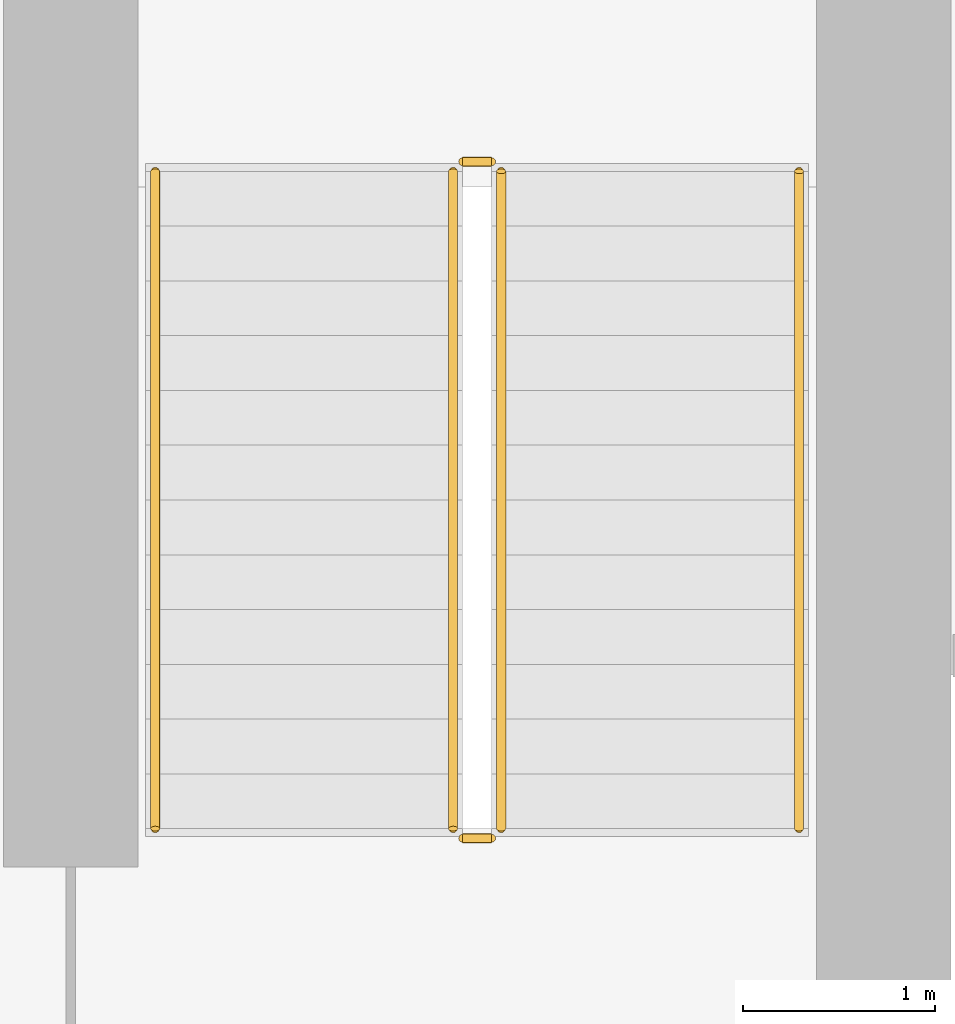
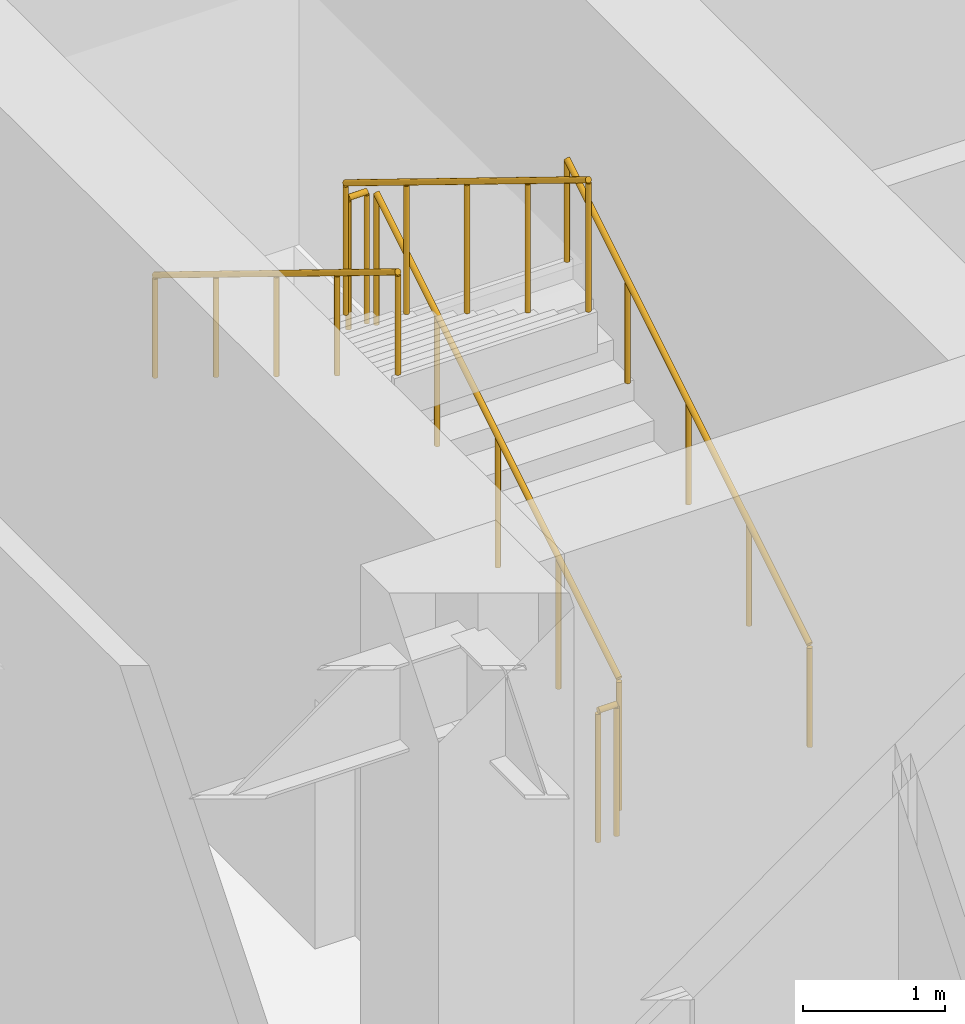
# One storey, part 8 of 13: 6 railings.
"""IFC4 building model written with IfcOpenShell, lengths in metres."""

from ifc_helpers import new_model, si_unit, direction, frame, origin, origin_2d, place, context, subcontext, project, spatial, circle, extrude, material, type_object, element, save


model = new_model("IFC4")

# Units and contexts
model_context = context("Model", 3, precision=1e-05, world=origin(), true_north=direction((0.0, 1.0)))
body_context = subcontext(model_context, "Body", "Model", "MODEL_VIEW")
ifc_project = project(units=[si_unit("LENGTHUNIT", "METRE"), si_unit("AREAUNIT", "SQUARE_METRE"), si_unit("VOLUMEUNIT", "CUBIC_METRE"), si_unit("PLANEANGLEUNIT", "RADIAN"), si_unit("MASSUNIT", "GRAM", prefix="KILO")], contexts=[model_context])

# Site, building, storey
site_placement = place(None, origin())
site = spatial("IfcSite", under=ifc_project, at=site_placement, CompositionType="ELEMENT")
building_placement = place(site_placement, origin())
building = spatial("IfcBuilding", under=site, at=building_placement, Name="Nhamokura Convention Tower", CompositionType="ELEMENT")
storey_placement = place(building_placement, frame((0.0, 0.0, 34.300048828125)))
storey = spatial("IfcBuildingStorey", under=building, at=storey_placement, Name="L06", CompositionType="ELEMENT", Elevation=34.300048828125)

# Railings
ifc_material_1 = material(Name="Anodised bronze stainless steel", Category="steel")
railing_type_1 = type_object("IfcRailingType", Name="StairWallHandrail_900", PredefinedType="HANDRAIL", material=ifc_material_1)
railing_1_placement = place(storey_placement, frame((24.85009765625, 23.10009765625, 0.175048828125)))
element("IfcRailing", 1, at=railing_1_placement, inside=storey, type_object=railing_type_1, Name="L06 ST-01 stair handrail 1", PredefinedType="HANDRAIL", context=body_context, shape_type="SweptSolid", body=[
    extrude(circle(Radius=0.02392578125, at=origin_2d()), frame((0.0, 0.0, 0.8759765625), z_axis=(0.0, 0.852182171552, 0.523245206847), x_axis=(-1.0, 0.0, 0.0)), (0.0, 0.0, 1.0), 4.01318359375),
    extrude(circle(Radius=0.02099609375, at=origin_2d()), origin(), (0.0, 0.0, 1.0), 0.851806640625),
    extrude(circle(Radius=0.02099609375, at=origin_2d()), frame((0.0, 0.85498046875, 0.52490234375)), (0.0, 0.0, 1.0), 0.851806640625),
    extrude(circle(Radius=0.02099609375, at=origin_2d()), frame((0.0, 1.7099609375, 1.0498046875)), (0.0, 0.0, 1.0), 0.851806640625),
    extrude(circle(Radius=0.02099609375, at=origin_2d()), frame((0.0, 2.56494140625, 1.574951171875)), (0.0, 0.0, 1.0), 0.851806640625),
    extrude(circle(Radius=0.02099609375, at=origin_2d()), frame((0.0, 3.419921875, 2.099853515625)), (0.0, 0.0, 1.0), 0.851806640625),
])
railing_2_placement = place(storey_placement, frame((21.5, 26.52001953125, 2.449951171875)))
element("IfcRailing", 2, at=railing_2_placement, inside=storey, type_object=railing_type_1, Name="L06 ST-01 stair handrail 2", PredefinedType="HANDRAIL", context=body_context, shape_type="SweptSolid", body=[
    extrude(circle(Radius=0.02392578125, at=origin_2d()), frame((0.0, 0.0, 0.8759765625), z_axis=(0.0, -0.852155044755, 0.523289384279), x_axis=(1.0, 0.0, 0.0)), (0.0, 0.0, 1.0), 4.01318359375),
    extrude(circle(Radius=0.02099609375, at=origin_2d()), origin(), (0.0, 0.0, 1.0), 0.851806640625),
    extrude(circle(Radius=0.02099609375, at=origin_2d()), frame((0.0, -0.85498046875, 0.52490234375)), (0.0, 0.0, 1.0), 0.851806640625),
    extrude(circle(Radius=0.02099609375, at=origin_2d()), frame((0.0, -1.7099609375, 1.050048828125)), (0.0, 0.0, 1.0), 0.851806640625),
    extrude(circle(Radius=0.02099609375, at=origin_2d()), frame((0.0, -2.56494140625, 1.5751953125)), (0.0, 0.0, 1.0), 0.851806640625),
    extrude(circle(Radius=0.02099609375, at=origin_2d()), frame((0.0, -3.419921875, 2.10009765625)), (0.0, 0.0, 1.0), 0.851806640625),
])
ifc_material_2 = material(Name="Painted tubular steel", Category="steel")
railing_type_2 = type_object("IfcRailingType", Name="StairWellGuardrail_1150", PredefinedType="GUARDRAIL", material=ifc_material_2)
railing_3_placement = place(storey_placement, frame((23.300048828125, 23.10009765625, 0.175048828125)))
element("IfcRailing", 3, at=railing_3_placement, inside=storey, type_object=railing_type_2, Name="L06 ST-01 stair guard 1", PredefinedType="GUARDRAIL", context=body_context, shape_type="SweptSolid", body=[
    extrude(circle(Radius=0.02392578125, at=origin_2d()), frame((0.0, 0.0, 1.1259765625), z_axis=(0.0, 0.852182171552, 0.523245206847), x_axis=(-1.0, 0.0, 0.0)), (0.0, 0.0, 1.0), 4.01318359375),
    extrude(circle(Radius=0.02099609375, at=origin_2d()), origin(), (0.0, 0.0, 1.0), 1.101806640625),
    extrude(circle(Radius=0.02099609375, at=origin_2d()), frame((0.0, 0.85498046875, 0.52490234375)), (0.0, 0.0, 1.0), 1.101806640625),
    extrude(circle(Radius=0.02099609375, at=origin_2d()), frame((0.0, 1.7099609375, 1.0498046875)), (0.0, 0.0, 1.0), 1.101806640625),
    extrude(circle(Radius=0.02099609375, at=origin_2d()), frame((0.0, 2.56494140625, 1.574951171875)), (0.0, 0.0, 1.0), 1.101806640625),
    extrude(circle(Radius=0.02099609375, at=origin_2d()), frame((0.0, 3.419921875, 2.099853515625)), (0.0, 0.0, 1.0), 1.101806640625),
])
railing_4_placement = place(storey_placement, frame((23.25, 26.570068359375, 2.27490234375)))
element("IfcRailing", 4, at=railing_4_placement, inside=storey, type_object=railing_type_2, Name="L06 ST-01 stair guard 2", PredefinedType="GUARDRAIL", context=body_context, shape_type="SweptSolid", body=[
    extrude(circle(Radius=0.02392578125, at=origin_2d()), frame((0.0, 0.0, 1.1259765625), z_axis=(-1.0, 0.0, 0.0), x_axis=(0.0, -1.0, 0.0)), (0.0, 0.0, 1.0), 0.14990234375),
    extrude(circle(Radius=0.02099609375, at=origin_2d()), origin(), (0.0, 0.0, 1.0), 1.101806640625),
    extrude(circle(Radius=0.02099609375, at=origin_2d()), frame((-0.14990234375, 0.0, 0.0)), (0.0, 0.0, 1.0), 1.101806640625),
])
railing_5_placement = place(storey_placement, frame((23.050048828125, 26.52001953125, 2.449951171875)))
element("IfcRailing", 5, at=railing_5_placement, inside=storey, type_object=railing_type_2, Name="L06 ST-01 stair guard 3", PredefinedType="GUARDRAIL", context=body_context, shape_type="SweptSolid", body=[
    extrude(circle(Radius=0.02392578125, at=origin_2d()), frame((0.0, 0.0, 1.1259765625), z_axis=(0.0, -0.852155044755, 0.523289384279), x_axis=(1.0, 0.0, 0.0)), (0.0, 0.0, 1.0), 4.01318359375),
    extrude(circle(Radius=0.02099609375, at=origin_2d()), origin(), (0.0, 0.0, 1.0), 1.101806640625),
    extrude(circle(Radius=0.02099609375, at=origin_2d()), frame((0.0, -0.85498046875, 0.52490234375)), (0.0, 0.0, 1.0), 1.101806640625),
    extrude(circle(Radius=0.02099609375, at=origin_2d()), frame((0.0, -1.7099609375, 1.050048828125)), (0.0, 0.0, 1.0), 1.101806640625),
    extrude(circle(Radius=0.02099609375, at=origin_2d()), frame((0.0, -2.56494140625, 1.5751953125)), (0.0, 0.0, 1.0), 1.101806640625),
    extrude(circle(Radius=0.02099609375, at=origin_2d()), frame((0.0, -3.419921875, 2.10009765625)), (0.0, 0.0, 1.0), 1.101806640625),
])
railing_6_placement = place(storey_placement, frame((23.25, 23.050048828125, 0.0)))
element("IfcRailing", 6, at=railing_6_placement, inside=storey, type_object=railing_type_2, Name="L06 ST-01 stair guard 4", PredefinedType="GUARDRAIL", context=body_context, shape_type="SweptSolid", body=[
    extrude(circle(Radius=0.02392578125, at=origin_2d()), frame((0.0, 0.0, 1.1259765625), z_axis=(-1.0, 0.0, 0.0), x_axis=(0.0, -1.0, 0.0)), (0.0, 0.0, 1.0), 0.14990234375),
    extrude(circle(Radius=0.02099609375, at=origin_2d()), origin(), (0.0, 0.0, 1.0), 1.101806640625),
    extrude(circle(Radius=0.02099609375, at=origin_2d()), frame((-0.14990234375, 0.0, 0.0)), (0.0, 0.0, 1.0), 1.101806640625),
])

save(model, "model.ifc")
